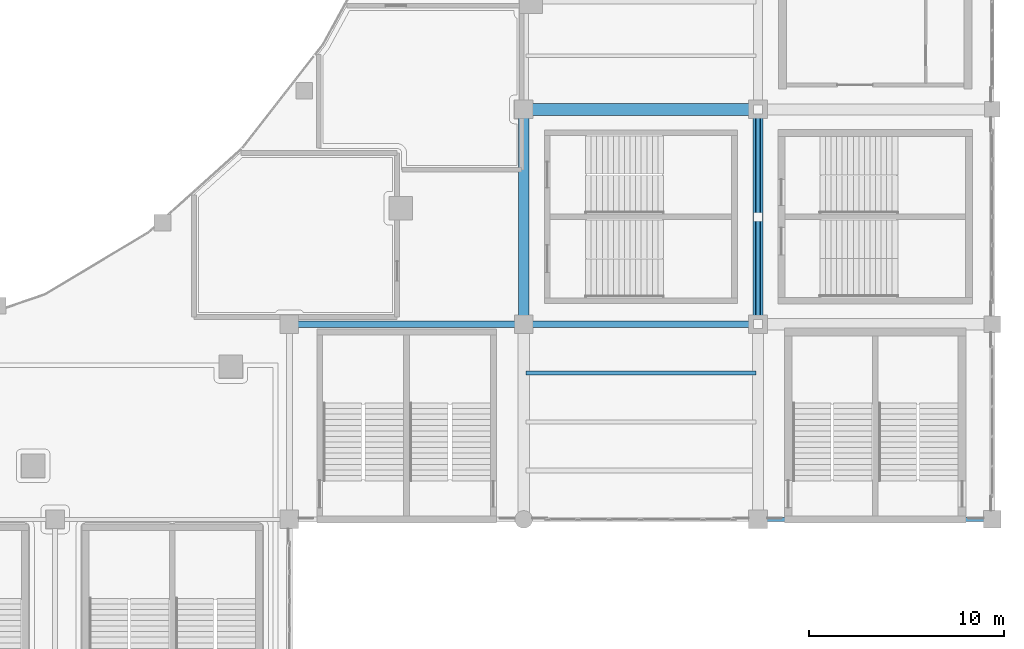
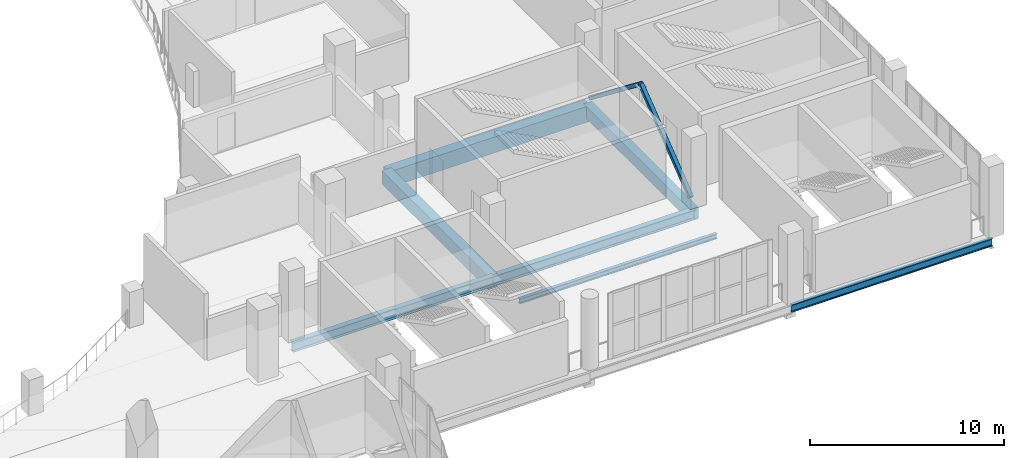
# One storey, part 33 of 90: 7 beams, 2 members.
"""IFC4 building model written with IfcOpenShell, lengths in metres."""

from ifc_helpers import new_model, si_unit, direction, frame, origin, origin_2d, place, context, subcontext, project, spatial, rectangle, hollow_rectangle, i_section, extrude, material, material_profile, profile_set, type_object, element, save


model = new_model("IFC4")

# Units and contexts
model_context = context("Model", 3, precision=1e-05, world=origin(), true_north=direction((0.0, 1.0)))
body_context = subcontext(model_context, "Body", "Model", "MODEL_VIEW")
ifc_project = project(units=[si_unit("LENGTHUNIT", "METRE"), si_unit("AREAUNIT", "SQUARE_METRE"), si_unit("VOLUMEUNIT", "CUBIC_METRE"), si_unit("PLANEANGLEUNIT", "RADIAN"), si_unit("MASSUNIT", "GRAM", prefix="KILO")], contexts=[model_context])

# Site, building, storey
site_placement = place(None, origin())
site = spatial("IfcSite", under=ifc_project, at=site_placement, CompositionType="ELEMENT")
building_placement = place(site_placement, origin())
building = spatial("IfcBuilding", under=site, at=building_placement, Name="Brinegate Civic Arena", CompositionType="ELEMENT")
storey_placement = place(building_placement, frame((0.0, 0.0, 14.699951171875)))
storey = spatial("IfcBuildingStorey", under=building, at=storey_placement, Name="L03", CompositionType="ELEMENT", Elevation=14.699951171875)

# Beams
ifc_material_1 = material(Name="Steel S355", Category="steel")
ifc_material_profile_1 = material_profile(ifc_material_1, i_section(OverallWidth=0.323974609375, OverallDepth=0.611083984375, WebThickness=0.012939453125, FlangeThickness=0.01904296875, FilletRadius=0.01611328125, at=origin_2d()), Name="W610X155")
ifc_profile_set_1 = profile_set([ifc_material_profile_1], Name="Steel S355")
beam_type_1 = type_object("IfcBeamType", Name="GIRDER-W610X155", PredefinedType="BEAM", material=ifc_profile_set_1)
beam_1_placement = place(storey_placement, frame((132.0, 20.0, -0.655029296875), z_axis=(1.0, 0.0, 0.0), x_axis=(0.0, 1.0, 0.0)))
element("IfcBeam", 1, at=beam_1_placement, inside=storey, type_object=beam_type_1, Name="Floor Girder BM-L03-GX-11-02", PredefinedType="BEAM", context=body_context, shape_type="SweptSolid", body=[
    extrude(i_section(OverallWidth=0.323974609375, OverallDepth=0.611083984375, WebThickness=0.012939453125, FlangeThickness=0.01904296875, FilletRadius=0.01611328125, at=origin_2d()), origin(), (0.0, 0.0, 1.0), 12.0),
])
ifc_material_profile_2 = material_profile(ifc_material_1, i_section(OverallWidth=0.324951171875, OverallDepth=0.615966796875, WebThickness=0.013916015625, FlangeThickness=0.02197265625, FilletRadius=0.01611328125, at=origin_2d()), Name="W610X174")
ifc_profile_set_2 = profile_set([ifc_material_profile_2], Name="Steel S355")
beam_type_2 = type_object("IfcBeamType", Name="GIRDER-W610X174", PredefinedType="BEAM", material=ifc_profile_set_2)
beam_2_placement = place(storey_placement, frame((144.0, 20.0, -0.657958984375), z_axis=(1.0, 0.0, 0.0), x_axis=(0.0, 1.0, 0.0)))
element("IfcBeam", 2, at=beam_2_placement, inside=storey, type_object=beam_type_2, Name="Floor Girder BM-L03-GX-12-02", PredefinedType="BEAM", context=body_context, shape_type="SweptSolid", body=[
    extrude(i_section(OverallWidth=0.324951171875, OverallDepth=0.615966796875, WebThickness=0.013916015625, FlangeThickness=0.02197265625, FilletRadius=0.01611328125, at=origin_2d()), origin(), (0.0, 0.0, 1.0), 12.0),
])
ifc_material_profile_3 = material_profile(ifc_material_1, i_section(OverallWidth=0.205078125, OverallDepth=0.31005859375, WebThickness=0.009033203125, FlangeThickness=0.01611328125, FilletRadius=0.012939453125, at=origin_2d()), Name="W310X74")
ifc_profile_set_3 = profile_set([ifc_material_profile_3], Name="Steel S355")
beam_type_3 = type_object("IfcBeamType", Name="JOIST-W310X74", PredefinedType="JOIST", material=ifc_profile_set_3)
beam_3_placement = place(storey_placement, frame((144.10595703125, 17.5, -0.5048828125), z_axis=(1.0, 0.0, 0.0), x_axis=(0.0, 1.0, 0.0)))
element("IfcBeam", 3, at=beam_3_placement, inside=storey, type_object=beam_type_3, Name="Secondary Joist BM-L03-JX-12-01-3", PredefinedType="JOIST", context=body_context, shape_type="SweptSolid", body=[
    extrude(i_section(OverallWidth=0.205078125, OverallDepth=0.31005859375, WebThickness=0.009033203125, FlangeThickness=0.01611328125, FilletRadius=0.012939453125, at=origin_2d()), origin(), (0.0, 0.0, 1.0), 11.7880859375),
])
ifc_material_2 = material(Name="Concrete C50/60", Category="concrete")
ifc_material_profile_4 = material_profile(ifc_material_2, rectangle(XDim=0.5, YDim=0.75, at=origin_2d()), Name="RCB500X750")
ifc_profile_set_4 = profile_set([ifc_material_profile_4], Name="Concrete C50/60")
beam_type_4 = type_object("IfcBeamType", Name="RCG-500X750", PredefinedType="BEAM", material=ifc_profile_set_4)
beam_4_placement = place(storey_placement, frame((156.0, 20.0, -0.724853515625), z_axis=(0.0, 1.0, 0.0), x_axis=(-1.0, 0.0, 0.0)))
element("IfcBeam", 4, at=beam_4_placement, inside=storey, type_object=beam_type_4, Name="Floor Girder BM-L03-GY-13-02", PredefinedType="BEAM", context=body_context, shape_type="SweptSolid", body=[
    extrude(rectangle(XDim=0.5, YDim=0.75, at=origin_2d()), origin(), (0.0, 0.0, 1.0), 11.0),
])
ifc_material_profile_5 = material_profile(ifc_material_2, rectangle(XDim=0.550048828125, YDim=0.85009765625, at=origin_2d()), Name="RCB550X850")
ifc_profile_set_5 = profile_set([ifc_material_profile_5], Name="Concrete C50/60")
beam_type_5 = type_object("IfcBeamType", Name="RCG-550X850", PredefinedType="BEAM", material=ifc_profile_set_5)
beam_5_placement = place(storey_placement, frame((144.0, 20.0, -0.77490234375), z_axis=(0.0, 1.0, 0.0), x_axis=(-1.0, 0.0, 0.0)))
element("IfcBeam", 5, at=beam_5_placement, inside=storey, type_object=beam_type_5, Name="Floor Girder BM-L03-GY-12-02", PredefinedType="BEAM", context=body_context, shape_type="SweptSolid", body=[
    extrude(rectangle(XDim=0.550048828125, YDim=0.85009765625, at=origin_2d()), origin(), (0.0, 0.0, 1.0), 11.0),
])
ifc_material_profile_6 = material_profile(ifc_material_2, rectangle(XDim=0.60009765625, YDim=1.0, at=origin_2d()), Name="RCB600X1000")
ifc_profile_set_6 = profile_set([ifc_material_profile_6], Name="Concrete C50/60")
beam_type_6 = type_object("IfcBeamType", Name="RCG-600X1000", PredefinedType="BEAM", material=ifc_profile_set_6)
beam_6_placement = place(storey_placement, frame((144.0, 31.0, -0.849853515625), z_axis=(1.0, 0.0, 0.0), x_axis=(0.0, 1.0, 0.0)))
element("IfcBeam", 6, at=beam_6_placement, inside=storey, type_object=beam_type_6, Name="Floor Girder BM-L03-GX-12-03", PredefinedType="BEAM", context=body_context, shape_type="SweptSolid", body=[
    extrude(rectangle(XDim=0.60009765625, YDim=1.0, at=origin_2d()), origin(), (0.0, 0.0, 1.0), 12.0),
])

# Members
ifc_material_profile_7 = material_profile(ifc_material_1, hollow_rectangle(XDim=0.25, YDim=0.25, WallThickness=0.011962890625, InnerFilletRadius=0.011962890625, OuterFilletRadius=0.02392578125, at=origin_2d()), Name="SHS250X12")
ifc_profile_set_7 = profile_set([ifc_material_profile_7], Name="Steel S355")
member_type = type_object("IfcMemberType", Name="SF-BRACE-SHS250", PredefinedType="BRACE", material=ifc_profile_set_7)
for number, where, z_axis, x_axis, name in (
    (7, (156.0, 20.320068359375, 0.150146484375), (0.0, 0.790742911709, 0.612148386898), (-1.0, 0.0, 0.0), "Lateral Chevron Brace 10-A"),
    (8, (156.0, 30.679931640625, 0.150146484375), (0.0, -0.790742911709, 0.612148386898), (1.0, 0.0, 0.0), "Lateral Chevron Brace 10-B"),
):
    element("IfcMember", number, at=place(storey_placement, frame(where, z_axis=z_axis, x_axis=x_axis)), inside=storey, type_object=member_type, Name=name, PredefinedType="BRACE", context=body_context, shape_type="SweptSolid", body=[
        extrude(hollow_rectangle(XDim=0.25, YDim=0.25, WallThickness=0.011962890625, InnerFilletRadius=0.011962890625, OuterFilletRadius=0.02392578125, at=origin_2d()), origin(), (0.0, 0.0, 1.0), 6.55078125),
    ])

# Beam
ifc_material_profile_8 = material_profile(ifc_material_1, i_section(OverallWidth=0.193115234375, OverallDepth=0.466064453125, WebThickness=0.010986328125, FlangeThickness=0.01904296875, FilletRadius=0.014892578125, at=origin_2d()), Name="W460X97")
ifc_profile_set_8 = profile_set([ifc_material_profile_8], Name="Steel S355")
beam_type_7 = type_object("IfcBeamType", Name="SPANDREL-W460X97", PredefinedType="SPANDREL", material=ifc_profile_set_8)
beam_7_placement = place(storey_placement, frame((156.0, 10.0, -0.5830078125), z_axis=(1.0, 0.0, 0.0), x_axis=(0.0, 1.0, 0.0)))
element("IfcBeam", 9, at=beam_7_placement, inside=storey, type_object=beam_type_7, Name="Floor Girder BM-L03-GX-13-01", PredefinedType="SPANDREL", context=body_context, shape_type="SweptSolid", body=[
    extrude(i_section(OverallWidth=0.193115234375, OverallDepth=0.466064453125, WebThickness=0.010986328125, FlangeThickness=0.01904296875, FilletRadius=0.014892578125, at=origin_2d()), origin(), (0.0, 0.0, 1.0), 12.0),
])

save(model, "model.ifc")
